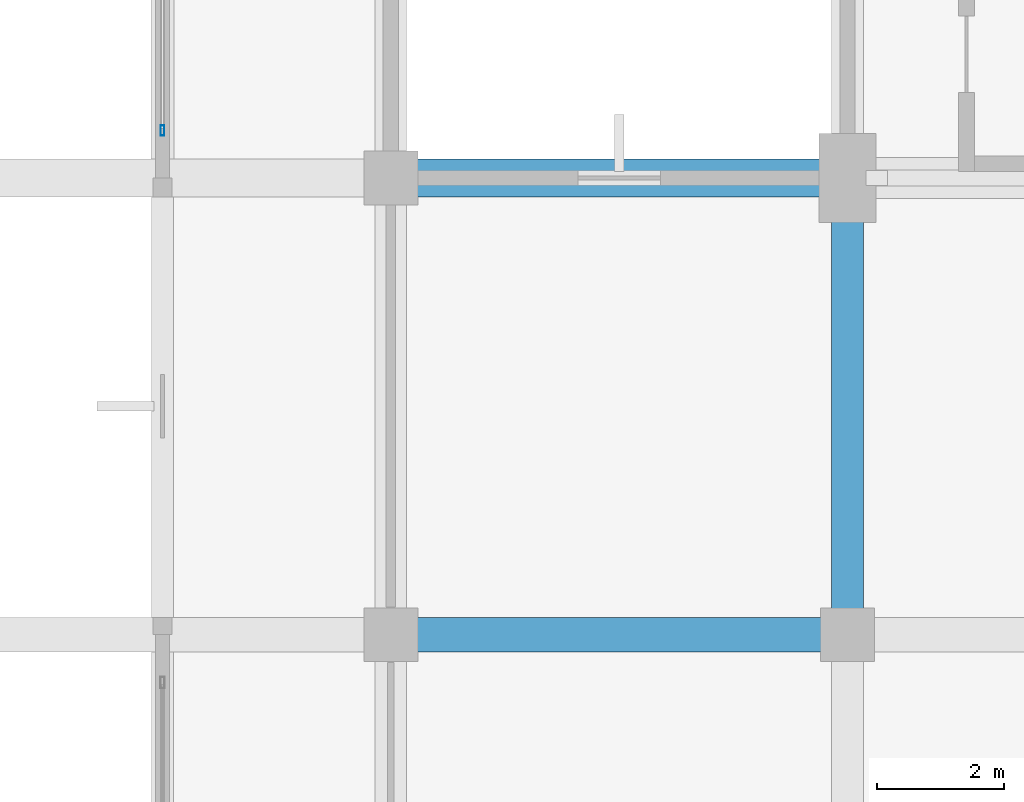
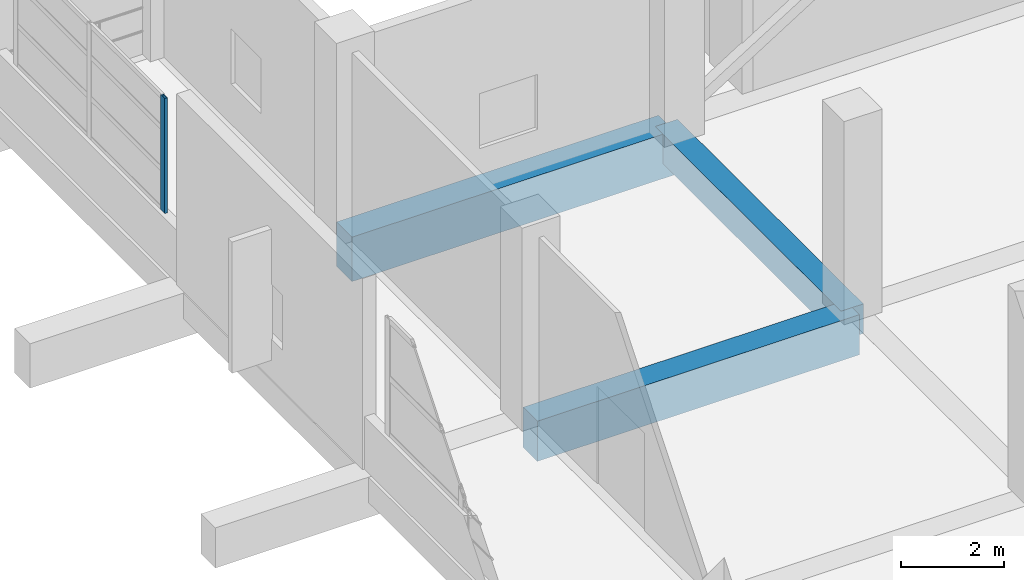
# One storey, part 62 of 181: 3 beams, 1 member, 1 element without a shape of its own.
"""IFC4 building model written with IfcOpenShell, lengths in metres."""

import ifcopenshell
import ifcopenshell.guid

model = None  # the IFC model being written
_history = None  # IfcOwnerHistory: only IFC2X3 demands one
_inside = {}  # id of a spatial element -> (the spatial element, [elements in it])
_under = {}  # id of a project, library or spatial element -> (it, [spatial elements below it])
_declared = {}  # id of a project -> (the project, [libraries it declares])
_typed = {}  # id of a type object -> (the type object, [elements of that type])
_made_of = {}  # id of a material, layer set ... -> (it, [elements and type objects made of it])


def new_model(schema):
    """Start an empty IFC model of exactly this schema.

    Asked for "IFC4X3", IfcOpenShell would pick the latest addendum, in which some entities
    have other attributes; the version numbers below select the first issue.
    IFC2X3 requires an IfcOwnerHistory on every rooted entity: one is made here for all.
    """
    global model, _history
    if schema == "IFC4X3":
        model = ifcopenshell.file(schema_version=(4, 3, 0, 0))
    else:
        model = ifcopenshell.file(schema=schema)
    _inside.clear()
    _under.clear()
    _declared.clear()
    _typed.clear()
    _made_of.clear()
    _history = None
    if model.schema == "IFC2X3":
        org = make("IfcOrganization", Name="unknown")
        user = make(
            "IfcPersonAndOrganization",
            ThePerson=make("IfcPerson", FamilyName="unknown"),
            TheOrganization=org,
        )
        app = make(
            "IfcApplication",
            ApplicationDeveloper=org,
            Version="unknown",
            ApplicationFullName="unknown",
            ApplicationIdentifier="unknown",
        )
        _history = make(
            "IfcOwnerHistory",
            OwningUser=user,
            OwningApplication=app,
            ChangeAction="ADDED",
            CreationDate=0,
        )
    return model


def make(cls, **values):
    """One entity of the class cls with the attributes given. An attribute that is None is left unset."""
    return model.create_entity(
        cls, **{name: value for name, value in values.items() if value is not None}
    )


def rooted(cls, **values):
    """An entity with a GlobalId (a new one), such as an element, a storey or a relation."""
    return make(cls, GlobalId=ifcopenshell.guid.new(), OwnerHistory=_history, **values)


def si_unit(unit_type, name, prefix=None):
    """IfcSIUnit, for example si_unit("LENGTHUNIT", "METRE", prefix="MILLI")."""
    return make("IfcSIUnit", UnitType=unit_type, Prefix=prefix, Name=name)


def assignment(units):
    """IfcUnitAssignment: the units of a project."""
    return None if units is None else make("IfcUnitAssignment", Units=units)


def point(xyz):
    """IfcCartesianPoint."""
    return None if xyz is None else make("IfcCartesianPoint", Coordinates=xyz)


def direction(xyz):
    """IfcDirection."""
    return None if xyz is None else make("IfcDirection", DirectionRatios=xyz)


def frame(location, z_axis=None, x_axis=None):
    """IfcAxis2Placement3D, a coordinate frame: its origin and axes. An axis left out is left unset."""
    return make(
        "IfcAxis2Placement3D",
        Location=point(location),
        Axis=direction(z_axis),
        RefDirection=direction(x_axis),
    )


def frame_2d(location, x_axis=None):
    """IfcAxis2Placement2D, a coordinate frame in the plane: its origin and x axis."""
    return make(
        "IfcAxis2Placement2D", Location=point(location), RefDirection=direction(x_axis)
    )


def origin():
    """The frame at (0, 0, 0) with its axes left unset."""
    return frame((0.0, 0.0, 0.0))


def origin_2d():
    """The frame at (0, 0) in the plane with its x axis left unset."""
    return frame_2d((0.0, 0.0))


def place(relative_to, where):
    """IfcLocalPlacement: puts the frame where relative to a parent placement (None: the world)."""
    return make(
        "IfcLocalPlacement", PlacementRelTo=relative_to, RelativePlacement=where
    )


def context(
    kind, dimensions, precision=None, world=None, true_north=None, identifier=None
):
    """IfcGeometricRepresentationContext, for example the 3D "Model" context."""
    return make(
        "IfcGeometricRepresentationContext",
        ContextIdentifier=identifier,
        ContextType=kind,
        CoordinateSpaceDimension=dimensions,
        Precision=precision,
        WorldCoordinateSystem=world,
        TrueNorth=true_north,
    )


def subcontext(parent, identifier, kind, view, scale=None):
    """IfcGeometricRepresentationSubContext, for example "Body" below "Model"."""
    return make(
        "IfcGeometricRepresentationSubContext",
        ContextIdentifier=identifier,
        ContextType=kind,
        ParentContext=parent,
        TargetScale=scale,
        TargetView=view,
    )


def project(units=None, contexts=None):
    """IfcProject with its units and contexts."""
    return rooted(
        "IfcProject",
        Name="project",
        RepresentationContexts=contexts,
        UnitsInContext=assignment(units),
    )


def spatial(cls, under=None, at=None, **own):
    """A site, building, storey or space (cls), placed at a placement, below another one or the project."""
    s = rooted(cls, ObjectPlacement=at, **own)
    if under is not None:
        _under.setdefault(under.id(), (under, []))[1].append(s)
    return s


def profile(cls, at=None, kind="AREA", **sizes):
    """A parametric profile (cls). Its sizes go by their IFC names, for example OverallWidth=200.0."""
    return make(cls, ProfileType=kind, Position=at, **sizes)


def rectangle(**sizes):
    """IfcRectangleProfileDef."""
    return profile("IfcRectangleProfileDef", **sizes)


def hollow_rectangle(**sizes):
    """IfcRectangleHollowProfileDef."""
    return profile("IfcRectangleHollowProfileDef", **sizes)


def extrude(swept, where, along, depth):
    """IfcExtrudedAreaSolid: the profile swept, set in the frame where, extruded along a direction by depth."""
    return make(
        "IfcExtrudedAreaSolid",
        SweptArea=swept,
        Position=where,
        ExtrudedDirection=direction(along),
        Depth=depth,
    )


def shape(context_of_items, identifier, shape_type, items):
    """IfcShapeRepresentation: the items that make up one representation, for example the "Body"."""
    return make(
        "IfcShapeRepresentation",
        ContextOfItems=context_of_items,
        RepresentationIdentifier=identifier,
        RepresentationType=shape_type,
        Items=items,
    )


def material(Name=None, Category=None):
    """IfcMaterial."""
    return make("IfcMaterial", Name=Name, Category=Category)


def layer(
    of_material, thickness, ventilated=None, Name=None, Category=None, Priority=None
):
    """IfcMaterialLayer: one layer of a wall or slab, of a material (None: an air gap)."""
    return make(
        "IfcMaterialLayer",
        Material=of_material,
        LayerThickness=thickness,
        IsVentilated=ventilated,
        Name=Name,
        Category=Category,
        Priority=Priority,
    )


def layer_set(layers, Name=None):
    """IfcMaterialLayerSet."""
    return make("IfcMaterialLayerSet", MaterialLayers=layers, LayerSetName=Name)


def material_profile(
    of_material, cross_section, Name=None, Category=None, Priority=None
):
    """IfcMaterialProfile: a cross section and its material."""
    return make(
        "IfcMaterialProfile",
        Name=Name,
        Material=of_material,
        Profile=cross_section,
        Priority=Priority,
        Category=Category,
    )


def profile_set(profiles, Name=None, composite=None):
    """IfcMaterialProfileSet."""
    return make(
        "IfcMaterialProfileSet",
        Name=Name,
        MaterialProfiles=profiles,
        CompositeProfile=composite,
    )


def made_of(thing, what):
    """Note that an element or type object is made of a material, layer set ...; save() writes the relation."""
    if what is not None:
        _made_of.setdefault(what.id(), (what, []))[1].append(thing)
    return thing


def type_object(cls, material=None, **own):
    """A type object (cls), such as IfcWallType, which elements share."""
    return made_of(rooted(cls, **own), material)


def element(
    cls,
    number,
    at=None,
    inside=None,
    cuts=None,
    type_object=None,
    material=None,
    context=None,
    identifier="Body",
    shape_type=None,
    held_by="IfcProductDefinitionShape",
    body=None,
    shapes=None,
    **own,
):
    """One element of the class cls, such as IfcWall. Its Tag is "e" and its number.

    at: its placement. inside: the storey or other place that contains it. cuts: it is an
    opening in that element (IfcRelVoidsElement). A single representation is given by context,
    identifier, shape_type and body (its items); several are given by shapes. held_by: the class
    of the entity that holds the representations. save() writes the other relations.
    """
    e = rooted(cls, Tag="e%d" % number, ObjectPlacement=at, **own)
    if body is not None:
        shapes = [shape(context, identifier, shape_type, body)]
    if shapes is not None:
        e.Representation = make(held_by, Representations=shapes)
    if inside is not None:
        _inside.setdefault(inside.id(), (inside, []))[1].append(e)
    if cuts is not None:
        rooted(
            "IfcRelVoidsElement", RelatingBuildingElement=cuts, RelatedOpeningElement=e
        )
    if type_object is not None:
        _typed.setdefault(type_object.id(), (type_object, []))[1].append(e)
    return made_of(e, material)


def aggregate(whole, parts):
    """IfcRelAggregates: a whole, such as a stair, and the parts it consists of."""
    return rooted("IfcRelAggregates", RelatingObject=whole, RelatedObjects=parts)


def save(model, path):
    """Write the relations noted so far, then the file.

    IfcRelAggregates (storeys below a building ...), IfcRelContainedInSpatialStructure (elements
    in a storey), IfcRelDefinesByType, IfcRelAssociatesMaterial and IfcRelDeclares: one each for
    every whole, place, type object, material and project.
    """
    for whole, parts in _under.values():
        aggregate(whole, parts)
    for where, things in _inside.values():
        rooted(
            "IfcRelContainedInSpatialStructure",
            RelatedElements=things,
            RelatingStructure=where,
        )
    for kind, things in _typed.values():
        rooted("IfcRelDefinesByType", RelatedObjects=things, RelatingType=kind)
    for what, things in _made_of.values():
        rooted("IfcRelAssociatesMaterial", RelatedObjects=things, RelatingMaterial=what)
    for by, libraries in _declared.values():
        rooted("IfcRelDeclares", RelatingContext=by, RelatedDefinitions=libraries)
    model.write(path)


model = new_model("IFC4")

# Units and contexts
model_context = context("Model", 3, precision=1e-05, world=origin(), true_north=direction((0.0, 1.0)))
body_context = subcontext(model_context, "Body", "Model", "MODEL_VIEW")
ifc_project = project(units=[si_unit("LENGTHUNIT", "METRE"), si_unit("AREAUNIT", "SQUARE_METRE"), si_unit("VOLUMEUNIT", "CUBIC_METRE"), si_unit("PLANEANGLEUNIT", "RADIAN"), si_unit("MASSUNIT", "GRAM", prefix="KILO")], contexts=[model_context])

# Site, building, storey
site_placement = place(None, origin())
site = spatial("IfcSite", under=ifc_project, at=site_placement, CompositionType="ELEMENT")
building_placement = place(site_placement, origin())
building = spatial("IfcBuilding", under=site, at=building_placement, Name="Seraya Terrace Polytechnic", CompositionType="ELEMENT")
storey_placement = place(building_placement, frame((0.0, 0.0, 4.800048828125)))
storey = spatial("IfcBuildingStorey", under=building, at=storey_placement, Name="L01", CompositionType="ELEMENT", Elevation=4.800048828125)

# Beams
ifc_material_1 = material(Name="Concrete C40/50", Category="concrete")
ifc_material_profile_1 = material_profile(ifc_material_1, rectangle(XDim=0.60009765625, YDim=1.050048828125, at=origin_2d()), Name="RC 600x1050")
ifc_profile_set_1 = profile_set([ifc_material_profile_1], Name="Concrete C40/50")
beam_type_1 = type_object("IfcBeamType", Name="BM-01", PredefinedType="BEAM", material=ifc_profile_set_1)
beam_1_placement = place(storey_placement, frame((7.199951171875, 79.199951171875, -0.525146484375), z_axis=(1.0, 0.0, 0.0), x_axis=(0.0, 1.0, 0.0)))
element("IfcBeam", 1, at=beam_1_placement, inside=storey, type_object=beam_type_1, Name="Beam BM-01 L01 X (7.2..14.4, 79.2)", PredefinedType="BEAM", context=body_context, shape_type="SweptSolid", body=[
    extrude(rectangle(XDim=0.60009765625, YDim=1.050048828125, at=origin_2d()), origin(), (0.0, 0.0, 1.0), 7.199951171875),
])
ifc_material_profile_2 = material_profile(ifc_material_1, rectangle(XDim=0.550048828125, YDim=0.949951171875, at=origin_2d()), Name="RC 550x950")
ifc_profile_set_2 = profile_set([ifc_material_profile_2], Name="Concrete C40/50")
beam_type_2 = type_object("IfcBeamType", Name="BM-03", PredefinedType="BEAM", material=ifc_profile_set_2)
beam_2_placement = place(storey_placement, frame((7.199951171875, 72.0, -0.47509765625), z_axis=(1.0, 0.0, 0.0), x_axis=(0.0, 1.0, 0.0)))
element("IfcBeam", 2, at=beam_2_placement, inside=storey, type_object=beam_type_2, Name="Beam BM-03 L01 X (7.2..14.4, 72.0)", PredefinedType="BEAM", context=body_context, shape_type="SweptSolid", body=[
    extrude(rectangle(XDim=0.550048828125, YDim=0.949951171875, at=origin_2d()), origin(), (0.0, 0.0, 1.0), 7.199951171875),
])
ifc_material_profile_3 = material_profile(ifc_material_1, rectangle(XDim=0.5, YDim=0.699951171875, at=origin_2d()), Name="RC 500x700")
ifc_profile_set_3 = profile_set([ifc_material_profile_3], Name="Concrete C40/50")
beam_type_3 = type_object("IfcBeamType", Name="BM-07", PredefinedType="BEAM", material=ifc_profile_set_3)
beam_3_placement = place(storey_placement, frame((14.39990234375, 72.0, -0.35009765625), z_axis=(0.0, 1.0, 0.0), x_axis=(-1.0, 0.0, 0.0)))
element("IfcBeam", 3, at=beam_3_placement, inside=storey, type_object=beam_type_3, Name="Beam BM-07 L01 Y (14.4, 72.0..79.2)", PredefinedType="BEAM", context=body_context, shape_type="SweptSolid", body=[
    extrude(rectangle(XDim=0.5, YDim=0.699951171875, at=origin_2d()), origin(), (0.0, 0.0, 1.0), 7.199951171875),
])

# Curtain wall, member
ifc_material_2 = material(Name="Anodised aluminium EN AW-6063 T6", Category="aluminium")
ifc_layer = layer(ifc_material_2, 0.179931640625, Name="CW-05")
ifc_layer_set = layer_set([ifc_layer], Name="Anodised aluminium EN AW-6063 T6")
curtain_wall_type = type_object("IfcCurtainWallType", Name="CW-05", PredefinedType="NOTDEFINED", material=ifc_layer_set)
curtain_wall_placement = place(storey_placement, origin())
curtain_wall = element("IfcCurtainWall", 4, at=curtain_wall_placement, inside=storey, type_object=curtain_wall_type, Name="Unitised curtain wall CW-05 (CW-L01-005)", PredefinedType="NOTDEFINED")
ifc_material_profile_4 = material_profile(ifc_material_2, hollow_rectangle(XDim=0.06005859375, YDim=0.159912109375, WallThickness=0.00341796875, at=origin_2d()), Name="RHS 160x60x3.5")
ifc_profile_set_4 = profile_set([ifc_material_profile_4], Name="Anodised aluminium EN AW-6063 T6")
member_type = type_object("IfcMemberType", Name="CWM-02", PredefinedType="MULLION", material=ifc_profile_set_4)
member_placement = place(storey_placement, frame((3.60009765625, 79.949951171875, 1.239990234375), z_axis=(0.0, 0.0, 1.0), x_axis=(-1.0, 0.0, 0.0)))
member = element("IfcMember", 5, at=member_placement, type_object=member_type, Name="CW-05 mullion 1", PredefinedType="MULLION", context=body_context, shape_type="SweptSolid", body=[
    extrude(hollow_rectangle(XDim=0.06005859375, YDim=0.159912109375, WallThickness=0.00341796875, at=origin_2d()), origin(), (0.0, 0.0, 1.0), 2.719970703125),
])
aggregate(curtain_wall, [member])

save(model, "model.ifc")
